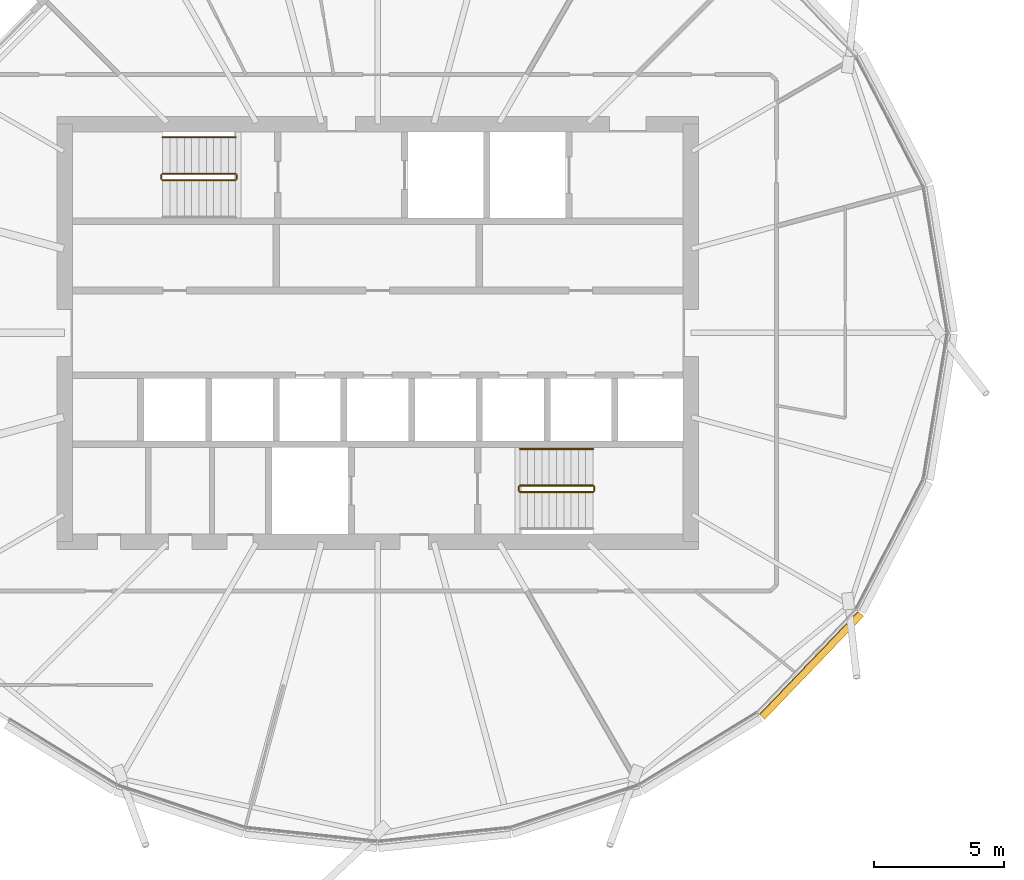
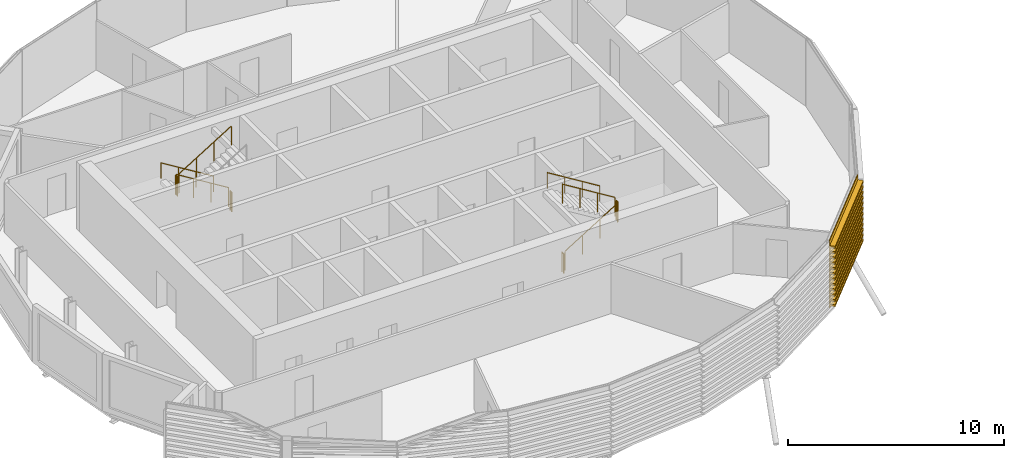
# One storey, part 32 of 36: 10 railings, 1 covering.
"""IFC4 building model written with IfcOpenShell, lengths in metres."""

from ifc_helpers import new_model, si_unit, direction, frame, origin, origin_2d, place, context, subcontext, project, spatial, polyline, circle, outline, extrude, material, material_profile, profile_set, type_object, element, save


model = new_model("IFC4")

# Units and contexts
model_context = context("Model", 3, precision=1e-05, world=origin(), true_north=direction((0.0, 1.0)))
body_context = subcontext(model_context, "Body", "Model", "MODEL_VIEW")
ifc_project = project(units=[si_unit("LENGTHUNIT", "METRE"), si_unit("AREAUNIT", "SQUARE_METRE"), si_unit("VOLUMEUNIT", "CUBIC_METRE"), si_unit("PLANEANGLEUNIT", "RADIAN"), si_unit("MASSUNIT", "GRAM", prefix="KILO")], contexts=[model_context])

# Site, building, storey
site_placement = place(None, origin())
site = spatial("IfcSite", under=ifc_project, at=site_placement, CompositionType="ELEMENT")
building_placement = place(site_placement, origin())
building = spatial("IfcBuilding", under=site, at=building_placement, Name="Rimbun Link Towers", CompositionType="ELEMENT")
storey_placement = place(building_placement, frame((0.0, 0.0, 189.300048828125)))
storey = spatial("IfcBuildingStorey", under=building, at=storey_placement, Name="L46", CompositionType="ELEMENT", Elevation=189.300048828125)

# Railings
ifc_material_1 = material(Name="Stainless steel grade 316", Category="steel")
railing_type_1 = type_object("IfcRailingType", Name="Stair guard", PredefinedType="GUARDRAIL", material=ifc_material_1)
railing_1_placement = place(storey_placement, frame((-37.199951171875, 6.10009765625, 0.172607421875)))
element("IfcRailing", 1, at=railing_1_placement, inside=storey, type_object=railing_type_1, Name="L46 ST1 stair guard 1", PredefinedType="GUARDRAIL", context=body_context, shape_type="SweptSolid", body=[
    extrude(circle(Radius=0.02392578125, at=origin_2d()), frame((0.0, 0.0, 1.076171875), z_axis=(-0.851089632645, 0.0, 0.525020415988), x_axis=(0.0, -1.0, 0.0)), (0.0, 0.0, 1.0), 3.2900390625),
    extrude(circle(Radius=0.02099609375, at=origin_2d()), origin(), (0.0, 0.0, 1.0), 1.052001953125),
    extrude(circle(Radius=0.02099609375, at=origin_2d()), frame((-0.933349609375, 0.0, 0.57568359375)), (0.0, 0.0, 1.0), 1.052001953125),
    extrude(circle(Radius=0.02099609375, at=origin_2d()), frame((-1.86669921875, 0.0, 1.151611328125)), (0.0, 0.0, 1.0), 1.052001953125),
    extrude(circle(Radius=0.02099609375, at=origin_2d()), frame((-2.800048828125, 0.0, 1.727294921875)), (0.0, 0.0, 1.0), 1.052001953125),
])
railing_2_placement = place(storey_placement, frame((-40.050048828125, 6.050048828125, 1.89990234375)))
element("IfcRailing", 2, at=railing_2_placement, inside=storey, type_object=railing_type_1, Name="L46 ST1 stair guard 2", PredefinedType="GUARDRAIL", context=body_context, shape_type="SweptSolid", body=[
    extrude(circle(Radius=0.02392578125, at=origin_2d()), frame((0.0, 0.0, 1.076171875), z_axis=(0.0, -1.0, 0.0), x_axis=(1.0, 0.0, 0.0)), (0.0, 0.0, 1.0), 0.150146484375),
    extrude(circle(Radius=0.02099609375, at=origin_2d()), origin(), (0.0, 0.0, 1.0), 1.052001953125),
    extrude(circle(Radius=0.02099609375, at=origin_2d()), frame((0.0, -0.150146484375, 0.0)), (0.0, 0.0, 1.0), 1.052001953125),
])
railing_3_placement = place(storey_placement, frame((-40.0, 5.85009765625, 2.07275390625)))
element("IfcRailing", 3, at=railing_3_placement, inside=storey, type_object=railing_type_1, Name="L46 ST1 stair guard 3", PredefinedType="GUARDRAIL", context=body_context, shape_type="SweptSolid", body=[
    extrude(circle(Radius=0.02392578125, at=origin_2d()), frame((0.0, 0.0, 1.076171875), z_axis=(0.851089632645, 0.0, 0.525020415988), x_axis=(0.0, 1.0, 0.0)), (0.0, 0.0, 1.0), 3.2900390625),
    extrude(circle(Radius=0.02099609375, at=origin_2d()), origin(), (0.0, 0.0, 1.0), 1.052001953125),
    extrude(circle(Radius=0.02099609375, at=origin_2d()), frame((0.933349609375, 0.0, 0.57568359375)), (0.0, 0.0, 1.0), 1.052001953125),
    extrude(circle(Radius=0.02099609375, at=origin_2d()), frame((1.86669921875, 0.0, 1.151611328125)), (0.0, 0.0, 1.0), 1.052001953125),
    extrude(circle(Radius=0.02099609375, at=origin_2d()), frame((2.800048828125, 0.0, 1.727294921875)), (0.0, 0.0, 1.0), 1.052001953125),
])
railing_4_placement = place(storey_placement, frame((-37.14990234375, 6.050048828125, 0.0)))
element("IfcRailing", 4, at=railing_4_placement, inside=storey, type_object=railing_type_1, Name="L46 ST1 stair guard 4", PredefinedType="GUARDRAIL", context=body_context, shape_type="SweptSolid", body=[
    extrude(circle(Radius=0.02392578125, at=origin_2d()), frame((0.0, 0.0, 1.076171875), z_axis=(0.0, -1.0, 0.0), x_axis=(1.0, 0.0, 0.0)), (0.0, 0.0, 1.0), 0.150146484375),
    extrude(circle(Radius=0.02099609375, at=origin_2d()), origin(), (0.0, 0.0, 1.0), 1.052001953125),
    extrude(circle(Radius=0.02099609375, at=origin_2d()), frame((0.0, -0.150146484375, 0.0)), (0.0, 0.0, 1.0), 1.052001953125),
])
railing_5_placement = place(storey_placement, frame((-26.300048828125, -6.10009765625, 0.172607421875)))
element("IfcRailing", 5, at=railing_5_placement, inside=storey, type_object=railing_type_1, Name="L46 ST2 stair guard 1", PredefinedType="GUARDRAIL", context=body_context, shape_type="SweptSolid", body=[
    extrude(circle(Radius=0.02392578125, at=origin_2d()), frame((0.0, 0.0, 1.076171875), z_axis=(0.851089632645, 0.0, 0.525020415988), x_axis=(0.0, 1.0, 0.0)), (0.0, 0.0, 1.0), 3.2900390625),
    extrude(circle(Radius=0.02099609375, at=origin_2d()), origin(), (0.0, 0.0, 1.0), 1.052001953125),
    extrude(circle(Radius=0.02099609375, at=origin_2d()), frame((0.933349609375, 0.0, 0.57568359375)), (0.0, 0.0, 1.0), 1.052001953125),
    extrude(circle(Radius=0.02099609375, at=origin_2d()), frame((1.86669921875, 0.0, 1.151611328125)), (0.0, 0.0, 1.0), 1.052001953125),
    extrude(circle(Radius=0.02099609375, at=origin_2d()), frame((2.800048828125, 0.0, 1.727294921875)), (0.0, 0.0, 1.0), 1.052001953125),
])
railing_6_placement = place(storey_placement, frame((-23.449951171875, -6.050048828125, 1.89990234375)))
element("IfcRailing", 6, at=railing_6_placement, inside=storey, type_object=railing_type_1, Name="L46 ST2 stair guard 2", PredefinedType="GUARDRAIL", context=body_context, shape_type="SweptSolid", body=[
    extrude(circle(Radius=0.02392578125, at=origin_2d()), frame((0.0, 0.0, 1.076171875), z_axis=(0.0, 1.0, 0.0), x_axis=(-1.0, 0.0, 0.0)), (0.0, 0.0, 1.0), 0.150146484375),
    extrude(circle(Radius=0.02099609375, at=origin_2d()), origin(), (0.0, 0.0, 1.0), 1.052001953125),
    extrude(circle(Radius=0.02099609375, at=origin_2d()), frame((0.0, 0.150146484375, 0.0)), (0.0, 0.0, 1.0), 1.052001953125),
])
railing_7_placement = place(storey_placement, frame((-23.5, -5.85009765625, 2.07275390625)))
element("IfcRailing", 7, at=railing_7_placement, inside=storey, type_object=railing_type_1, Name="L46 ST2 stair guard 3", PredefinedType="GUARDRAIL", context=body_context, shape_type="SweptSolid", body=[
    extrude(circle(Radius=0.02392578125, at=origin_2d()), frame((0.0, 0.0, 1.076171875), z_axis=(-0.851089632645, 0.0, 0.525020415988), x_axis=(0.0, -1.0, 0.0)), (0.0, 0.0, 1.0), 3.2900390625),
    extrude(circle(Radius=0.02099609375, at=origin_2d()), origin(), (0.0, 0.0, 1.0), 1.052001953125),
    extrude(circle(Radius=0.02099609375, at=origin_2d()), frame((-0.933349609375, 0.0, 0.57568359375)), (0.0, 0.0, 1.0), 1.052001953125),
    extrude(circle(Radius=0.02099609375, at=origin_2d()), frame((-1.86669921875, 0.0, 1.151611328125)), (0.0, 0.0, 1.0), 1.052001953125),
    extrude(circle(Radius=0.02099609375, at=origin_2d()), frame((-2.800048828125, 0.0, 1.727294921875)), (0.0, 0.0, 1.0), 1.052001953125),
])
railing_8_placement = place(storey_placement, frame((-26.35009765625, -6.050048828125, 0.0)))
element("IfcRailing", 8, at=railing_8_placement, inside=storey, type_object=railing_type_1, Name="L46 ST2 stair guard 4", PredefinedType="GUARDRAIL", context=body_context, shape_type="SweptSolid", body=[
    extrude(circle(Radius=0.02392578125, at=origin_2d()), frame((0.0, 0.0, 1.076171875), z_axis=(0.0, 1.0, 0.0), x_axis=(-1.0, 0.0, 0.0)), (0.0, 0.0, 1.0), 0.150146484375),
    extrude(circle(Radius=0.02099609375, at=origin_2d()), origin(), (0.0, 0.0, 1.0), 1.052001953125),
    extrude(circle(Radius=0.02099609375, at=origin_2d()), frame((0.0, 0.150146484375, 0.0)), (0.0, 0.0, 1.0), 1.052001953125),
])
ifc_material_2 = material(Name="Stainless steel grade 316", Category="steel")
railing_type_2 = type_object("IfcRailingType", Name="Stair handrail", PredefinedType="HANDRAIL", material=ifc_material_2)
for number, where, name in (
    (9, (-37.199951171875, 7.5, 0.172607421875), "L46 ST1 stair handrail 1"),
    (10, (-23.5, -4.449951171875, 2.07275390625), "L46 ST2 stair handrail 2"),
):
    element("IfcRailing", number, at=place(storey_placement, frame(where)), inside=storey, type_object=railing_type_2, Name=name, PredefinedType="HANDRAIL", context=body_context, shape_type="SweptSolid", body=[
        extrude(circle(Radius=0.02392578125, at=origin_2d()), frame((0.0, 0.0, 0.8759765625), z_axis=(-0.851089632645, 0.0, 0.525020415988), x_axis=(0.0, -1.0, 0.0)), (0.0, 0.0, 1.0), 3.2900390625),
        extrude(circle(Radius=0.02099609375, at=origin_2d()), origin(), (0.0, 0.0, 1.0), 0.851806640625),
        extrude(circle(Radius=0.02099609375, at=origin_2d()), frame((-0.933349609375, 0.0, 0.57568359375)), (0.0, 0.0, 1.0), 0.851806640625),
        extrude(circle(Radius=0.02099609375, at=origin_2d()), frame((-1.86669921875, 0.0, 1.151611328125)), (0.0, 0.0, 1.0), 0.851806640625),
        extrude(circle(Radius=0.02099609375, at=origin_2d()), frame((-2.800048828125, 0.0, 1.727294921875)), (0.0, 0.0, 1.0), 0.851806640625),
    ])

# Covering
ifc_material_3 = material(Name="Terracotta", Category="masonry")
ifc_material_profile = material_profile(ifc_material_3, outline(polyline([(0.123046875, 0.0), (0.1630859375, 0.0), (0.1630859375, 0.10009765625), (0.423095703125, 0.10009765625), (0.423095703125, 0.219970703125), (0.1630859375, 0.219970703125), (0.1630859375, 0.39990234375), (0.423095703125, 0.39990234375), (0.423095703125, 0.52001953125), (0.1630859375, 0.52001953125), (0.1630859375, 0.699951171875), (0.423095703125, 0.699951171875), (0.423095703125, 0.820068359375), (0.1630859375, 0.820068359375), (0.1630859375, 1.0), (0.423095703125, 1.0), (0.423095703125, 1.1201171875), (0.1630859375, 1.1201171875), (0.1630859375, 1.300048828125), (0.423095703125, 1.300048828125), (0.423095703125, 1.419921875), (0.1630859375, 1.419921875), (0.1630859375, 1.60009765625), (0.423095703125, 1.60009765625), (0.423095703125, 1.719970703125), (0.1630859375, 1.719970703125), (0.1630859375, 1.89990234375), (0.423095703125, 1.89990234375), (0.423095703125, 2.02001953125), (0.1630859375, 2.02001953125), (0.1630859375, 2.199951171875), (0.423095703125, 2.199951171875), (0.423095703125, 2.320068359375), (0.1630859375, 2.320068359375), (0.1630859375, 2.5), (0.423095703125, 2.5), (0.423095703125, 2.6201171875), (0.1630859375, 2.6201171875), (0.1630859375, 2.800048828125), (0.423095703125, 2.800048828125), (0.423095703125, 2.919921875), (0.1630859375, 2.919921875), (0.1630859375, 3.10009765625), (0.423095703125, 3.10009765625), (0.423095703125, 3.219970703125), (0.1630859375, 3.219970703125), (0.1630859375, 3.39990234375), (0.423095703125, 3.39990234375), (0.423095703125, 3.52001953125), (0.1630859375, 3.52001953125), (0.1630859375, 3.800048828125), (0.123046875, 3.800048828125), (0.123046875, 0.0)])), Name="BAGUETTE 120X300")
ifc_profile_set = profile_set([ifc_material_profile], Name="Terracotta")
covering_type = type_object("IfcCoveringType", Name="TERRACOTTA BAGUETTE 120X300 H3800", PredefinedType="CLADDING", material=ifc_profile_set)
covering_placement = place(storey_placement, frame((-13.443115234375, -10.569580078125, 0.0), z_axis=(-0.692048759633, -0.721850756244, 0.0), x_axis=(0.721850756244, -0.692048759633, 0.0)))
element("IfcCovering", 11, at=covering_placement, inside=storey, type_object=covering_type, Name="TERRACOTTA BAGUETTE", PredefinedType="CLADDING", context=body_context, shape_type="SweptSolid", body=[
    extrude(outline(polyline([(0.123046875, 0.0), (0.1630859375, 0.0), (0.1630859375, 0.10009765625), (0.423095703125, 0.10009765625), (0.423095703125, 0.219970703125), (0.1630859375, 0.219970703125), (0.1630859375, 0.39990234375), (0.423095703125, 0.39990234375), (0.423095703125, 0.52001953125), (0.1630859375, 0.52001953125), (0.1630859375, 0.699951171875), (0.423095703125, 0.699951171875), (0.423095703125, 0.820068359375), (0.1630859375, 0.820068359375), (0.1630859375, 1.0), (0.423095703125, 1.0), (0.423095703125, 1.1201171875), (0.1630859375, 1.1201171875), (0.1630859375, 1.300048828125), (0.423095703125, 1.300048828125), (0.423095703125, 1.419921875), (0.1630859375, 1.419921875), (0.1630859375, 1.60009765625), (0.423095703125, 1.60009765625), (0.423095703125, 1.719970703125), (0.1630859375, 1.719970703125), (0.1630859375, 1.89990234375), (0.423095703125, 1.89990234375), (0.423095703125, 2.02001953125), (0.1630859375, 2.02001953125), (0.1630859375, 2.199951171875), (0.423095703125, 2.199951171875), (0.423095703125, 2.320068359375), (0.1630859375, 2.320068359375), (0.1630859375, 2.5), (0.423095703125, 2.5), (0.423095703125, 2.6201171875), (0.1630859375, 2.6201171875), (0.1630859375, 2.800048828125), (0.423095703125, 2.800048828125), (0.423095703125, 2.919921875), (0.1630859375, 2.919921875), (0.1630859375, 3.10009765625), (0.423095703125, 3.10009765625), (0.423095703125, 3.219970703125), (0.1630859375, 3.219970703125), (0.1630859375, 3.39990234375), (0.423095703125, 3.39990234375), (0.423095703125, 3.52001953125), (0.1630859375, 3.52001953125), (0.1630859375, 3.800048828125), (0.123046875, 3.800048828125), (0.123046875, 0.0)])), origin(), (0.0, 0.0, 1.0), 5.472412109375),
])

save(model, "model.ifc")
